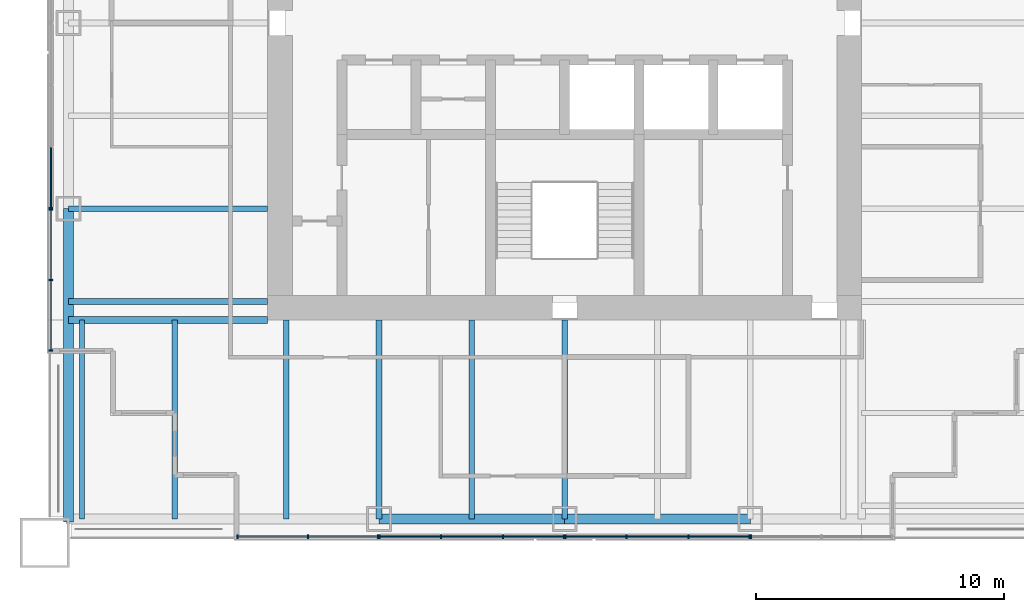
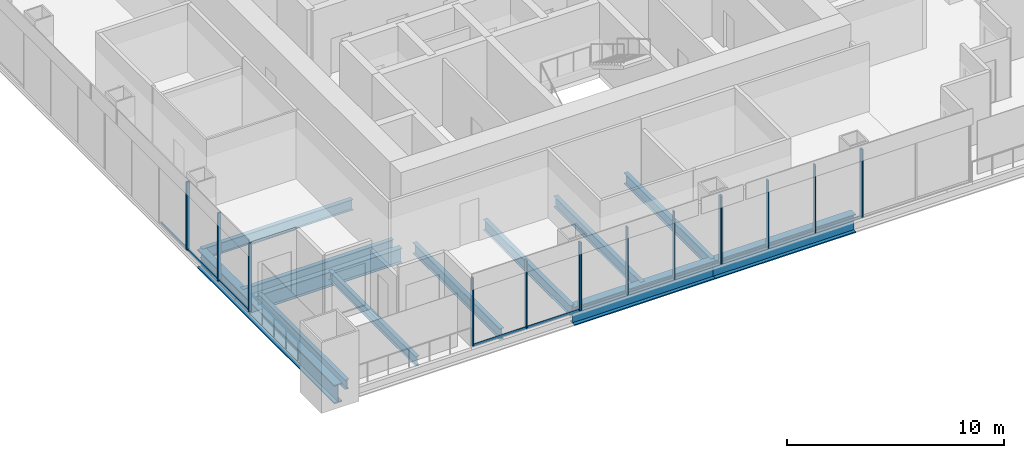
# One storey, part 2 of 14: 27 members, 12 beams, 6 elements without a shape of their own.
"""IFC4 building model written with IfcOpenShell, lengths in metres."""

from ifc_helpers import new_model, si_unit, direction, frame, origin, origin_2d, place, context, subcontext, project, spatial, rectangle, i_section, extrude, material, material_profile, profile_set, type_object, element, aggregate, save


model = new_model("IFC4")

# Units and contexts
model_context = context("Model", 3, precision=1e-05, world=origin(), true_north=direction((0.0, 1.0)))
body_context = subcontext(model_context, "Body", "Model", "MODEL_VIEW")
ifc_project = project(units=[si_unit("LENGTHUNIT", "METRE"), si_unit("AREAUNIT", "SQUARE_METRE"), si_unit("VOLUMEUNIT", "CUBIC_METRE"), si_unit("PLANEANGLEUNIT", "RADIAN"), si_unit("MASSUNIT", "GRAM", prefix="KILO")], contexts=[model_context])

# Site, building, storey
site_placement = place(None, origin())
site = spatial("IfcSite", under=ifc_project, at=site_placement, CompositionType="ELEMENT")
building_placement = place(site_placement, origin())
building = spatial("IfcBuilding", under=site, at=building_placement, Name="Tarangal Relay Tower", CompositionType="ELEMENT")
storey_placement = place(building_placement, frame((0.0, 0.0, 311.89990234375)))
storey = spatial("IfcBuildingStorey", under=building, at=storey_placement, Name="L69", CompositionType="ELEMENT", Elevation=311.89990234375)

# Beams
ifc_material_1 = material(Name="Steel ASTM A992", Category="steel")
ifc_material_profile_1 = material_profile(ifc_material_1, i_section(OverallWidth=0.209228515625, OverallDepth=0.533447265625, WebThickness=0.01025390625, FlangeThickness=0.015625, at=origin_2d()), Name="W21X62")
ifc_profile_set_1 = profile_set([ifc_material_profile_1], Name="Steel ASTM A992")
beam_type_1 = type_object("IfcBeamType", Name="Corner beam W21X62", PredefinedType="JOIST", material=ifc_profile_set_1)
for number, where, z_axis, x_axis, name in (
    (1, (-15.75, -12.0, -0.41650390625), (0.0, -1.0, 0.0), (1.0, 0.0, 0.0), "Corner beam CB12 S L69"),
    (2, (-19.5, -12.0, -0.41650390625), (0.0, -1.0, 0.0), (1.0, 0.0, 0.0), "Corner beam CB12 S L69"),
):
    element("IfcBeam", number, at=place(storey_placement, frame(where, z_axis=z_axis, x_axis=x_axis)), inside=storey, type_object=beam_type_1, Name=name, PredefinedType="JOIST", context=body_context, shape_type="SweptSolid", body=[
        extrude(i_section(OverallWidth=0.209228515625, OverallDepth=0.533447265625, WebThickness=0.01025390625, FlangeThickness=0.015625, at=origin_2d()), origin(), (0.0, 0.0, 1.0), 8.0400390625),
    ])
ifc_material_profile_2 = material_profile(ifc_material_1, i_section(OverallWidth=0.2919921875, OverallDepth=0.8408203125, WebThickness=0.0146484375, FlangeThickness=0.021728515625, at=origin_2d()), Name="W33X130")
ifc_profile_set_2 = profile_set([ifc_material_profile_2], Name="Steel ASTM A992")
beam_type_2 = type_object("IfcBeamType", Name="Corner girder W33X130", PredefinedType="BEAM", material=ifc_profile_set_2)
beam_1_placement = place(storey_placement, frame((-12.0, -12.0, -0.5703125), z_axis=(-1.0, 0.0, 0.0), x_axis=(0.0, -1.0, 0.0)))
element("IfcBeam", 3, at=beam_1_placement, inside=storey, type_object=beam_type_2, Name="Corner girder CG5 S L69", PredefinedType="BEAM", context=body_context, shape_type="SweptSolid", body=[
    extrude(i_section(OverallWidth=0.2919921875, OverallDepth=0.8408203125, WebThickness=0.0146484375, FlangeThickness=0.021728515625, at=origin_2d()), origin(), (0.0, 0.0, 1.0), 8.0400390625),
])
ifc_material_profile_3 = material_profile(ifc_material_1, i_section(OverallWidth=0.41162109375, OverallDepth=1.049072265625, WebThickness=0.033935546875, FlangeThickness=0.059814453125, at=origin_2d()), Name="W40X431")
ifc_profile_set_3 = profile_set([ifc_material_profile_3], Name="Steel ASTM A992")
beam_type_3 = type_object("IfcBeamType", Name="Edge girder W40X431", PredefinedType="SPANDREL", material=ifc_profile_set_3)
for number, where, z_axis, x_axis, name in (
    (4, (7.5, -20.0400390625, -0.67431640625), (-1.0, 0.0, 0.0), (0.0, -1.0, 0.0), "Edge girder EG1 S L69"),
    (5, (0.0, -20.0400390625, -0.67431640625), (-1.0, 0.0, 0.0), (0.0, -1.0, 0.0), "Edge girder EG1 S L69"),
):
    element("IfcBeam", number, at=place(storey_placement, frame(where, z_axis=z_axis, x_axis=x_axis)), inside=storey, type_object=beam_type_3, Name=name, PredefinedType="SPANDREL", context=body_context, shape_type="SweptSolid", body=[
        extrude(i_section(OverallWidth=0.41162109375, OverallDepth=1.049072265625, WebThickness=0.033935546875, FlangeThickness=0.059814453125, at=origin_2d()), origin(), (0.0, 0.0, 1.0), 7.5),
    ])
beam_2_placement = place(storey_placement, frame((-20.0400390625, -20.14990234375, -0.67431640625), z_axis=(0.0, 1.0, 0.0), x_axis=(-1.0, 0.0, 0.0)))
element("IfcBeam", 6, at=beam_2_placement, inside=storey, type_object=beam_type_3, Name="Edge girder EG1 W L69", PredefinedType="SPANDREL", context=body_context, shape_type="SweptSolid", body=[
    extrude(i_section(OverallWidth=0.41162109375, OverallDepth=1.049072265625, WebThickness=0.033935546875, FlangeThickness=0.059814453125, at=origin_2d()), origin(), (0.0, 0.0, 1.0), 12.64990234375),
])
ifc_material_profile_4 = material_profile(ifc_material_1, i_section(OverallWidth=0.228271484375, OverallDepth=0.607177734375, WebThickness=0.01123046875, FlangeThickness=0.017333984375, at=origin_2d()), Name="W24X76")
ifc_profile_set_4 = profile_set([ifc_material_profile_4], Name="Steel ASTM A992")
beam_type_4 = type_object("IfcBeamType", Name="Floor beam W24X76", PredefinedType="BEAM", material=ifc_profile_set_4)
for number, where, z_axis, x_axis, name in (
    (7, (0.0, -12.0, -0.453369140625), (0.0, -1.0, 0.0), (1.0, 0.0, 0.0), "Floor beam RB5 S L69"),
    (8, (-3.75, -12.0, -0.453369140625), (0.0, -1.0, 0.0), (1.0, 0.0, 0.0), "Floor beam RB5 S L69"),
    (9, (-7.5, -12.0, -0.453369140625), (0.0, -1.0, 0.0), (1.0, 0.0, 0.0), "Floor beam RB5 S L69"),
    (10, (-11.25, -12.0, -0.453369140625), (0.0, -1.0, 0.0), (1.0, 0.0, 0.0), "Floor beam RB5 S L69"),
    (11, (-12.0, -11.25, -0.453369140625), (-1.0, 0.0, 0.0), (0.0, -1.0, 0.0), "Floor beam RB5 W L69"),
    (12, (-12.0, -7.5, -0.453369140625), (-1.0, 0.0, 0.0), (0.0, -1.0, 0.0), "Floor beam RB5 W L69"),
):
    element("IfcBeam", number, at=place(storey_placement, frame(where, z_axis=z_axis, x_axis=x_axis)), inside=storey, type_object=beam_type_4, Name=name, PredefinedType="BEAM", context=body_context, shape_type="SweptSolid", body=[
        extrude(i_section(OverallWidth=0.228271484375, OverallDepth=0.607177734375, WebThickness=0.01123046875, FlangeThickness=0.017333984375, at=origin_2d()), origin(), (0.0, 0.0, 1.0), 8.0400390625),
    ])

# Curtain wall, member
ifc_material_2 = material(Name="Unitised curtain wall, dark glass and black aluminium", Category="aluminium")
curtain_wall_type_1 = type_object("IfcCurtainWallType", Name="Curtain wall CW-B", PredefinedType="USERDEFINED", material=ifc_material_2)
curtain_wall_1_placement = place(storey_placement, origin())
curtain_wall_1 = element("IfcCurtainWall", 13, at=curtain_wall_1_placement, inside=storey, type_object=curtain_wall_type_1, Name="Curtain wall CW-B S facade L69", ObjectType="UNITISED CURTAIN WALL", PredefinedType="USERDEFINED")
ifc_material_3 = material(Name="Black anodised aluminium mullion", Category="aluminium")
ifc_material_profile_5 = material_profile(ifc_material_3, rectangle(XDim=0.159912109375, YDim=0.06005859375, at=origin_2d()), Name="CW-BM 60X160")
ifc_profile_set_5 = profile_set([ifc_material_profile_5], Name="Black anodised aluminium mullion")
member_type_1 = type_object("IfcMemberType", Name="Mullion CW-B 60 x 160", PredefinedType="MULLION", material=ifc_profile_set_5)
member_1_placement = place(storey_placement, frame((7.530029296875, -20.75, 0.0), z_axis=(0.0, 0.0, 1.0), x_axis=(0.0, -1.0, 0.0)))
member_1 = element("IfcMember", 14, at=member_1_placement, type_object=member_type_1, Name="CW-B mullion 3", PredefinedType="MULLION", context=body_context, shape_type="SweptSolid", body=[
    extrude(rectangle(XDim=0.159912109375, YDim=0.06005859375, at=origin_2d()), origin(), (0.0, 0.0, 1.0), 3.85009765625),
])
aggregate(curtain_wall_1, [member_1])

# Curtain wall, members
curtain_wall_2_placement = place(storey_placement, origin())
curtain_wall_2 = element("IfcCurtainWall", 15, at=curtain_wall_2_placement, inside=storey, type_object=curtain_wall_type_1, Name="Curtain wall CW-B S facade L69", ObjectType="UNITISED CURTAIN WALL", PredefinedType="USERDEFINED")
member_2_placement = place(storey_placement, frame((-7.530029296875, -20.75, 0.0), z_axis=(0.0, 0.0, 1.0), x_axis=(0.0, -1.0, 0.0)))
member_2 = element("IfcMember", 16, at=member_2_placement, type_object=member_type_1, Name="CW-B mullion 1", PredefinedType="MULLION", context=body_context, shape_type="SweptSolid", body=[
    extrude(rectangle(XDim=0.159912109375, YDim=0.06005859375, at=origin_2d()), origin(), (0.0, 0.0, 1.0), 3.85009765625),
])
member_3_placement = place(storey_placement, frame((-10.375, -20.75, 0.0), z_axis=(0.0, 0.0, 1.0), x_axis=(0.0, -1.0, 0.0)))
member_3 = element("IfcMember", 17, at=member_3_placement, type_object=member_type_1, Name="CW-B mullion 2", PredefinedType="MULLION", context=body_context, shape_type="SweptSolid", body=[
    extrude(rectangle(XDim=0.159912109375, YDim=0.06005859375, at=origin_2d()), origin(), (0.0, 0.0, 1.0), 3.85009765625),
])
member_4_placement = place(storey_placement, frame((-13.219970703125, -20.75, 0.0), z_axis=(0.0, 0.0, 1.0), x_axis=(0.0, -1.0, 0.0)))
member_4 = element("IfcMember", 18, at=member_4_placement, type_object=member_type_1, Name="CW-B mullion 3", PredefinedType="MULLION", context=body_context, shape_type="SweptSolid", body=[
    extrude(rectangle(XDim=0.159912109375, YDim=0.06005859375, at=origin_2d()), origin(), (0.0, 0.0, 1.0), 3.85009765625),
])

curtain_wall_3_placement = place(storey_placement, origin())
curtain_wall_3 = element("IfcCurtainWall", 19, at=curtain_wall_3_placement, inside=storey, type_object=curtain_wall_type_1, Name="Curtain wall CW-B W facade L69", ObjectType="UNITISED CURTAIN WALL", PredefinedType="USERDEFINED")
member_5_placement = place(storey_placement, frame((-20.75, -13.219970703125, 0.0), z_axis=(0.0, 0.0, 1.0), x_axis=(-1.0, 0.0, 0.0)))
member_5 = element("IfcMember", 20, at=member_5_placement, type_object=member_type_1, Name="CW-B mullion 1", PredefinedType="MULLION", context=body_context, shape_type="SweptSolid", body=[
    extrude(rectangle(XDim=0.159912109375, YDim=0.06005859375, at=origin_2d()), origin(), (0.0, 0.0, 1.0), 3.85009765625),
])
member_6_placement = place(storey_placement, frame((-20.75, -10.375, 0.0), z_axis=(0.0, 0.0, 1.0), x_axis=(-1.0, 0.0, 0.0)))
member_6 = element("IfcMember", 21, at=member_6_placement, type_object=member_type_1, Name="CW-B mullion 2", PredefinedType="MULLION", context=body_context, shape_type="SweptSolid", body=[
    extrude(rectangle(XDim=0.159912109375, YDim=0.06005859375, at=origin_2d()), origin(), (0.0, 0.0, 1.0), 3.85009765625),
])
member_7_placement = place(storey_placement, frame((-20.75, -7.530029296875, 0.0), z_axis=(0.0, 0.0, 1.0), x_axis=(-1.0, 0.0, 0.0)))
member_7 = element("IfcMember", 22, at=member_7_placement, type_object=member_type_1, Name="CW-B mullion 3", PredefinedType="MULLION", context=body_context, shape_type="SweptSolid", body=[
    extrude(rectangle(XDim=0.159912109375, YDim=0.06005859375, at=origin_2d()), origin(), (0.0, 0.0, 1.0), 3.85009765625),
])

ifc_material_4 = material(Name="Unitised curtain wall frame, black aluminium, with metal clad infill walls", Category="aluminium")
curtain_wall_type_2 = type_object("IfcCurtainWallType", Name="Curtain wall CW-BO", PredefinedType="USERDEFINED", material=ifc_material_4)
curtain_wall_4_placement = place(storey_placement, origin())
curtain_wall_4 = element("IfcCurtainWall", 23, at=curtain_wall_4_placement, inside=storey, type_object=curtain_wall_type_2, Name="Curtain wall CW-BO S facade L69", ObjectType="UNITISED CURTAIN WALL", PredefinedType="USERDEFINED")
ifc_material_profile_6 = material_profile(ifc_material_3, rectangle(XDim=0.159912109375, YDim=0.06005859375, at=origin_2d()), Name="CW-BOM 60X160")
ifc_profile_set_6 = profile_set([ifc_material_profile_6], Name="Black anodised aluminium mullion")
member_type_2 = type_object("IfcMemberType", Name="Mullion CW-BO 60 x 160", PredefinedType="MULLION", material=ifc_profile_set_6)
member_8_placement = place(storey_placement, frame((7.469970703125, -20.75, 0.0), z_axis=(0.0, 0.0, 1.0), x_axis=(0.0, -1.0, 0.0)))
member_8 = element("IfcMember", 24, at=member_8_placement, type_object=member_type_2, Name="CW-BO mullion 1", PredefinedType="MULLION", context=body_context, shape_type="SweptSolid", body=[
    extrude(rectangle(XDim=0.159912109375, YDim=0.06005859375, at=origin_2d()), origin(), (0.0, 0.0, 1.0), 3.85009765625),
])
member_9_placement = place(storey_placement, frame((5.0, -20.75, 0.0), z_axis=(0.0, 0.0, 1.0), x_axis=(0.0, -1.0, 0.0)))
member_9 = element("IfcMember", 25, at=member_9_placement, type_object=member_type_2, Name="CW-BO mullion 2", PredefinedType="MULLION", context=body_context, shape_type="SweptSolid", body=[
    extrude(rectangle(XDim=0.159912109375, YDim=0.06005859375, at=origin_2d()), origin(), (0.0, 0.0, 1.0), 3.85009765625),
])
member_10_placement = place(storey_placement, frame((2.5, -20.75, 0.0), z_axis=(0.0, 0.0, 1.0), x_axis=(0.0, -1.0, 0.0)))
member_10 = element("IfcMember", 26, at=member_10_placement, type_object=member_type_2, Name="CW-BO mullion 3", PredefinedType="MULLION", context=body_context, shape_type="SweptSolid", body=[
    extrude(rectangle(XDim=0.159912109375, YDim=0.06005859375, at=origin_2d()), origin(), (0.0, 0.0, 1.0), 3.85009765625),
])
member_11_placement = place(storey_placement, frame((0.030029296875, -20.75, 0.0), z_axis=(0.0, 0.0, 1.0), x_axis=(0.0, -1.0, 0.0)))
member_11 = element("IfcMember", 27, at=member_11_placement, type_object=member_type_2, Name="CW-BO mullion 4", PredefinedType="MULLION", context=body_context, shape_type="SweptSolid", body=[
    extrude(rectangle(XDim=0.159912109375, YDim=0.06005859375, at=origin_2d()), origin(), (0.0, 0.0, 1.0), 3.85009765625),
])

curtain_wall_5_placement = place(storey_placement, origin())
curtain_wall_5 = element("IfcCurtainWall", 28, at=curtain_wall_5_placement, inside=storey, type_object=curtain_wall_type_2, Name="Curtain wall CW-BO S facade L69", ObjectType="UNITISED CURTAIN WALL", PredefinedType="USERDEFINED")
member_12_placement = place(storey_placement, frame((-0.030029296875, -20.75, 0.0), z_axis=(0.0, 0.0, 1.0), x_axis=(0.0, -1.0, 0.0)))
member_12 = element("IfcMember", 29, at=member_12_placement, type_object=member_type_2, Name="CW-BO mullion 1", PredefinedType="MULLION", context=body_context, shape_type="SweptSolid", body=[
    extrude(rectangle(XDim=0.159912109375, YDim=0.06005859375, at=origin_2d()), origin(), (0.0, 0.0, 1.0), 3.85009765625),
])
member_13_placement = place(storey_placement, frame((-2.5, -20.75, 0.0), z_axis=(0.0, 0.0, 1.0), x_axis=(0.0, -1.0, 0.0)))
member_13 = element("IfcMember", 30, at=member_13_placement, type_object=member_type_2, Name="CW-BO mullion 2", PredefinedType="MULLION", context=body_context, shape_type="SweptSolid", body=[
    extrude(rectangle(XDim=0.159912109375, YDim=0.06005859375, at=origin_2d()), origin(), (0.0, 0.0, 1.0), 3.85009765625),
])
member_14_placement = place(storey_placement, frame((-5.0, -20.75, 0.0), z_axis=(0.0, 0.0, 1.0), x_axis=(0.0, -1.0, 0.0)))
member_14 = element("IfcMember", 31, at=member_14_placement, type_object=member_type_2, Name="CW-BO mullion 3", PredefinedType="MULLION", context=body_context, shape_type="SweptSolid", body=[
    extrude(rectangle(XDim=0.159912109375, YDim=0.06005859375, at=origin_2d()), origin(), (0.0, 0.0, 1.0), 3.85009765625),
])
member_15_placement = place(storey_placement, frame((-7.469970703125, -20.75, 0.0), z_axis=(0.0, 0.0, 1.0), x_axis=(0.0, -1.0, 0.0)))
member_15 = element("IfcMember", 32, at=member_15_placement, type_object=member_type_2, Name="CW-BO mullion 4", PredefinedType="MULLION", context=body_context, shape_type="SweptSolid", body=[
    extrude(rectangle(XDim=0.159912109375, YDim=0.06005859375, at=origin_2d()), origin(), (0.0, 0.0, 1.0), 3.85009765625),
])

# Curtain wall, member
curtain_wall_6_placement = place(storey_placement, origin())
curtain_wall_6 = element("IfcCurtainWall", 33, at=curtain_wall_6_placement, inside=storey, type_object=curtain_wall_type_2, Name="Curtain wall CW-BO W facade L69", ObjectType="UNITISED CURTAIN WALL", PredefinedType="USERDEFINED")
member_16_placement = place(storey_placement, frame((-20.75, -7.469970703125, 0.0), z_axis=(0.0, 0.0, 1.0), x_axis=(-1.0, 0.0, 0.0)))
member_16 = element("IfcMember", 34, at=member_16_placement, type_object=member_type_2, Name="CW-BO mullion 1", PredefinedType="MULLION", context=body_context, shape_type="SweptSolid", body=[
    extrude(rectangle(XDim=0.159912109375, YDim=0.06005859375, at=origin_2d()), origin(), (0.0, 0.0, 1.0), 3.85009765625),
])

# Member
ifc_material_5 = material(Name="Black anodised aluminium transom", Category="aluminium")
ifc_material_profile_7 = material_profile(ifc_material_5, rectangle(XDim=0.06005859375, YDim=0.1298828125, at=origin_2d()), Name="CW-BT 60X130")
ifc_profile_set_7 = profile_set([ifc_material_profile_7], Name="Black anodised aluminium transom")
member_type_3 = type_object("IfcMemberType", Name="Transom CW-B 60 x 130", PredefinedType="USERDEFINED", material=ifc_profile_set_7)
member_17_placement = place(storey_placement, frame((-7.56005859375, -20.75, 0.030029296875), z_axis=(-1.0, 0.0, 0.0), x_axis=(0.0, -1.0, 0.0)))
member_17 = element("IfcMember", 35, at=member_17_placement, type_object=member_type_3, Name="CW-B transom 1.1", ObjectType="TRANSOM", PredefinedType="USERDEFINED", context=body_context, shape_type="SweptSolid", body=[
    extrude(rectangle(XDim=0.06005859375, YDim=0.1298828125, at=origin_2d()), origin(), (0.0, 0.0, 1.0), 2.784912109375),
])

member_18_placement = place(storey_placement, frame((-10.405029296875, -20.75, 0.030029296875), z_axis=(-1.0, 0.0, 0.0), x_axis=(0.0, -1.0, 0.0)))
member_18 = element("IfcMember", 36, at=member_18_placement, type_object=member_type_3, Name="CW-B transom 2.1", ObjectType="TRANSOM", PredefinedType="USERDEFINED", context=body_context, shape_type="SweptSolid", body=[
    extrude(rectangle(XDim=0.06005859375, YDim=0.1298828125, at=origin_2d()), origin(), (0.0, 0.0, 1.0), 2.784912109375),
])

aggregate(curtain_wall_2, [member_2, member_3, member_4, member_17, member_18])

member_19_placement = place(storey_placement, frame((-20.75, -13.18994140625, 0.030029296875), z_axis=(0.0, 1.0, 0.0), x_axis=(-1.0, 0.0, 0.0)))
member_19 = element("IfcMember", 37, at=member_19_placement, type_object=member_type_3, Name="CW-B transom 1.1", ObjectType="TRANSOM", PredefinedType="USERDEFINED", context=body_context, shape_type="SweptSolid", body=[
    extrude(rectangle(XDim=0.06005859375, YDim=0.1298828125, at=origin_2d()), origin(), (0.0, 0.0, 1.0), 2.784912109375),
])

member_20_placement = place(storey_placement, frame((-20.75, -10.344970703125, 0.030029296875), z_axis=(0.0, 1.0, 0.0), x_axis=(-1.0, 0.0, 0.0)))
member_20 = element("IfcMember", 38, at=member_20_placement, type_object=member_type_3, Name="CW-B transom 2.1", ObjectType="TRANSOM", PredefinedType="USERDEFINED", context=body_context, shape_type="SweptSolid", body=[
    extrude(rectangle(XDim=0.06005859375, YDim=0.1298828125, at=origin_2d()), origin(), (0.0, 0.0, 1.0), 2.784912109375),
])

aggregate(curtain_wall_3, [member_5, member_6, member_7, member_19, member_20])

ifc_material_profile_8 = material_profile(ifc_material_5, rectangle(XDim=0.06005859375, YDim=0.1298828125, at=origin_2d()), Name="CW-BOT 60X130")
ifc_profile_set_8 = profile_set([ifc_material_profile_8], Name="Black anodised aluminium transom")
member_type_4 = type_object("IfcMemberType", Name="Transom CW-BO 60 x 130", PredefinedType="USERDEFINED", material=ifc_profile_set_8)
member_21_placement = place(storey_placement, frame((7.43994140625, -20.75, 0.030029296875), z_axis=(-1.0, 0.0, 0.0), x_axis=(0.0, -1.0, 0.0)))
member_21 = element("IfcMember", 39, at=member_21_placement, type_object=member_type_4, Name="CW-BO transom 1.1", ObjectType="TRANSOM", PredefinedType="USERDEFINED", context=body_context, shape_type="SweptSolid", body=[
    extrude(rectangle(XDim=0.06005859375, YDim=0.1298828125, at=origin_2d()), origin(), (0.0, 0.0, 1.0), 2.409912109375),
])

member_22_placement = place(storey_placement, frame((4.969970703125, -20.75, 0.030029296875), z_axis=(-1.0, 0.0, 0.0), x_axis=(0.0, -1.0, 0.0)))
member_22 = element("IfcMember", 40, at=member_22_placement, type_object=member_type_4, Name="CW-BO transom 2.1", ObjectType="TRANSOM", PredefinedType="USERDEFINED", context=body_context, shape_type="SweptSolid", body=[
    extrude(rectangle(XDim=0.06005859375, YDim=0.1298828125, at=origin_2d()), origin(), (0.0, 0.0, 1.0), 2.43994140625),
])

member_23_placement = place(storey_placement, frame((2.469970703125, -20.75, 0.030029296875), z_axis=(-1.0, 0.0, 0.0), x_axis=(0.0, -1.0, 0.0)))
member_23 = element("IfcMember", 41, at=member_23_placement, type_object=member_type_4, Name="CW-BO transom 3.1", ObjectType="TRANSOM", PredefinedType="USERDEFINED", context=body_context, shape_type="SweptSolid", body=[
    extrude(rectangle(XDim=0.06005859375, YDim=0.1298828125, at=origin_2d()), origin(), (0.0, 0.0, 1.0), 2.409912109375),
])

aggregate(curtain_wall_4, [member_8, member_9, member_10, member_11, member_21, member_22, member_23])

member_24_placement = place(storey_placement, frame((-0.06005859375, -20.75, 0.030029296875), z_axis=(-1.0, 0.0, 0.0), x_axis=(0.0, -1.0, 0.0)))
member_24 = element("IfcMember", 42, at=member_24_placement, type_object=member_type_4, Name="CW-BO transom 1.1", ObjectType="TRANSOM", PredefinedType="USERDEFINED", context=body_context, shape_type="SweptSolid", body=[
    extrude(rectangle(XDim=0.06005859375, YDim=0.1298828125, at=origin_2d()), origin(), (0.0, 0.0, 1.0), 2.409912109375),
])

member_25_placement = place(storey_placement, frame((-2.530029296875, -20.75, 0.030029296875), z_axis=(-1.0, 0.0, 0.0), x_axis=(0.0, -1.0, 0.0)))
member_25 = element("IfcMember", 43, at=member_25_placement, type_object=member_type_4, Name="CW-BO transom 2.1", ObjectType="TRANSOM", PredefinedType="USERDEFINED", context=body_context, shape_type="SweptSolid", body=[
    extrude(rectangle(XDim=0.06005859375, YDim=0.1298828125, at=origin_2d()), origin(), (0.0, 0.0, 1.0), 2.43994140625),
])

member_26_placement = place(storey_placement, frame((-5.030029296875, -20.75, 0.030029296875), z_axis=(-1.0, 0.0, 0.0), x_axis=(0.0, -1.0, 0.0)))
member_26 = element("IfcMember", 44, at=member_26_placement, type_object=member_type_4, Name="CW-BO transom 3.1", ObjectType="TRANSOM", PredefinedType="USERDEFINED", context=body_context, shape_type="SweptSolid", body=[
    extrude(rectangle(XDim=0.06005859375, YDim=0.1298828125, at=origin_2d()), origin(), (0.0, 0.0, 1.0), 2.409912109375),
])

aggregate(curtain_wall_5, [member_12, member_13, member_14, member_15, member_24, member_25, member_26])

member_27_placement = place(storey_placement, frame((-20.75, -7.43994140625, 0.030029296875), z_axis=(0.0, 1.0, 0.0), x_axis=(-1.0, 0.0, 0.0)))
member_27 = element("IfcMember", 45, at=member_27_placement, type_object=member_type_4, Name="CW-BO transom 1.1", ObjectType="TRANSOM", PredefinedType="USERDEFINED", context=body_context, shape_type="SweptSolid", body=[
    extrude(rectangle(XDim=0.06005859375, YDim=0.1298828125, at=origin_2d()), origin(), (0.0, 0.0, 1.0), 2.409912109375),
])

aggregate(curtain_wall_6, [member_16, member_27])

save(model, "model.ifc")
